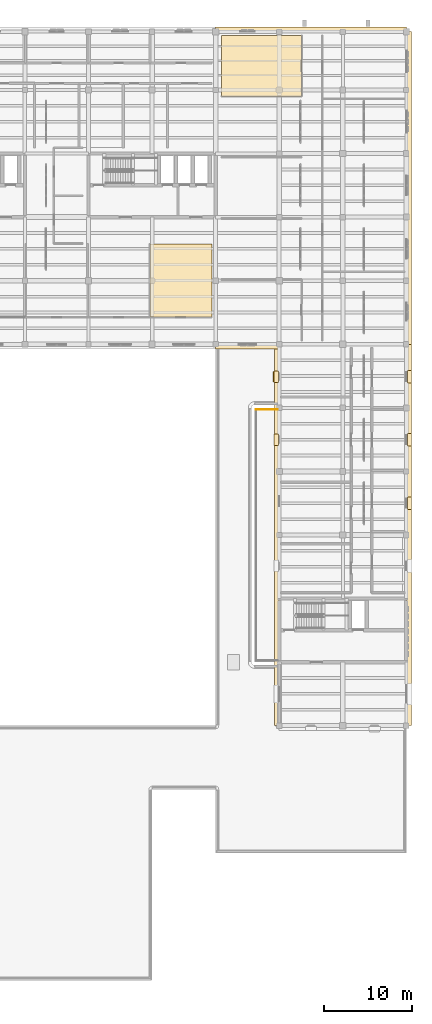
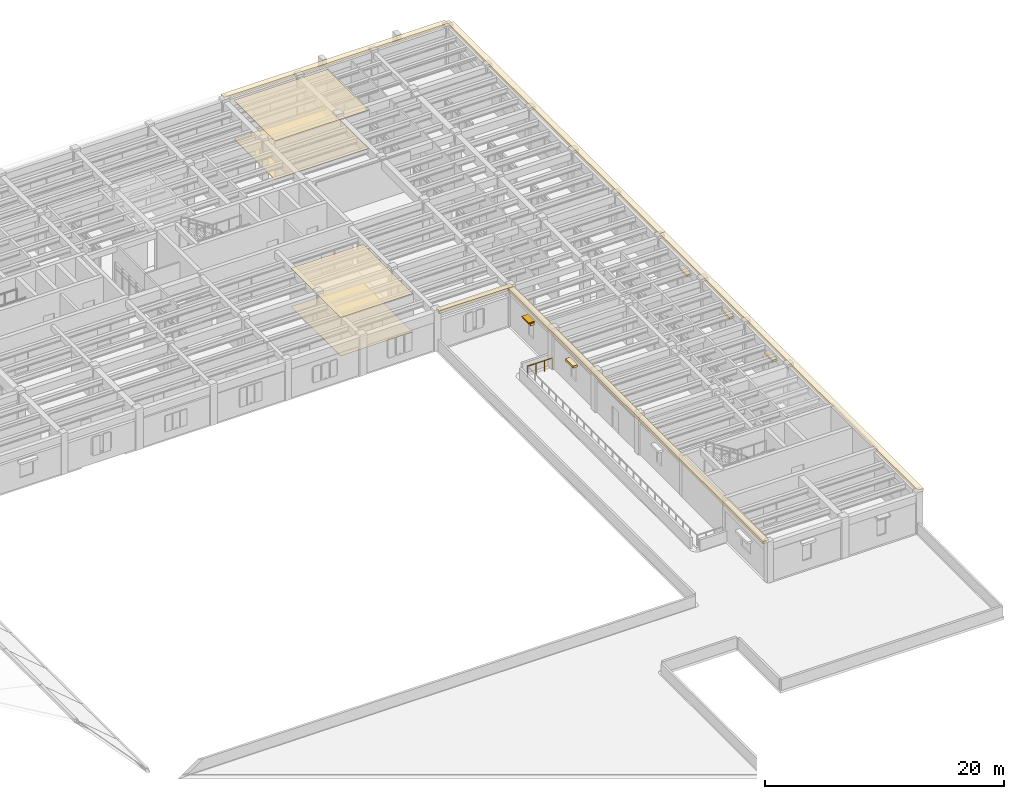
# One storey, part 40 of 40: 14 coverings, 1 railing, 1 shading device.
"""IFC4 building model written with IfcOpenShell, lengths in metres."""

from ifc_helpers import new_model, si_unit, direction, frame, origin, origin_2d, place, context, subcontext, project, spatial, polyline, rectangle, circle, outline, extrude, material, layer, layer_set, type_object, element, save


model = new_model("IFC4")

# Units and contexts
model_context = context("Model", 3, precision=1e-05, world=origin(), true_north=direction((0.0, 1.0)))
body_context = subcontext(model_context, "Body", "Model", "MODEL_VIEW")
ifc_project = project(units=[si_unit("LENGTHUNIT", "METRE"), si_unit("AREAUNIT", "SQUARE_METRE"), si_unit("VOLUMEUNIT", "CUBIC_METRE"), si_unit("PLANEANGLEUNIT", "RADIAN"), si_unit("MASSUNIT", "GRAM", prefix="KILO")], contexts=[model_context])

# Site, building, storey
site_placement = place(None, origin())
site = spatial("IfcSite", under=ifc_project, at=site_placement, CompositionType="ELEMENT")
building_placement = place(site_placement, origin())
building = spatial("IfcBuilding", under=site, at=building_placement, Name="Mithqara Police Headquarters", CompositionType="ELEMENT")
storey_placement = place(building_placement, frame((0.0, 0.0, 13.800048828125)))
storey = spatial("IfcBuildingStorey", under=building, at=storey_placement, Name="L03", CompositionType="ELEMENT", Elevation=13.800048828125)

# Coverings
ifc_material_1 = material(Name="Acoustic mineral-fibre ceiling tile", Category="gypsum")
ifc_layer_1 = layer(ifc_material_1, 0.02490234375, Name="Acoustic mineral-fibre ceiling tile")
ifc_layer_set_1 = layer_set([ifc_layer_1], Name="Acoustic mineral-fibre ceiling tile")
covering_type_1 = type_object("IfcCoveringType", Name="ACOUSTIC CEILING TILE", PredefinedType="CEILING", material=ifc_layer_set_1)
covering_1_placement = place(storey_placement, frame((0.0, 0.0, 3.9150390625)))
element("IfcCovering", 1, at=covering_1_placement, inside=storey, type_object=covering_type_1, Name="Warrants and Records Office Acoustic Ceiling", PredefinedType="CEILING", context=body_context, shape_type="SweptSolid", body=[
    extrude(outline(polyline([(137.16796875, 81.659912109375), (144.159912109375, 81.659912109375), (144.159912109375, 89.97998046875), (137.16796875, 89.97998046875), (137.16796875, 81.659912109375)])), origin(), (0.0, 0.0, 1.0), 0.02490234375),
])
covering_2_placement = place(storey_placement, frame((0.0, 0.0, 3.9150390625)))
element("IfcCovering", 2, at=covering_2_placement, inside=storey, type_object=covering_type_1, Name="Accessible WC Acoustic Ceiling", PredefinedType="CEILING", context=body_context, shape_type="SweptSolid", body=[
    extrude(outline(polyline([(145.27001953125, 106.68798828125), (154.324951171875, 106.68798828125), (154.324951171875, 113.56005859375), (145.27001953125, 113.56005859375), (145.27001953125, 106.68798828125)])), origin(), (0.0, 0.0, 1.0), 0.02490234375),
])
ifc_material_2 = material(Name="Limestone ashlar masonry, 45 MPa", Category="masonry")
ifc_layer_2 = layer(ifc_material_2, 0.320068359375, Name="Limestone ashlar masonry, 45 MPa")
ifc_layer_set_2 = layer_set([ifc_layer_2], Name="Limestone ashlar masonry, 45 MPa")
covering_type_2 = type_object("IfcCoveringType", Name="CORNICE LIMESTONE", PredefinedType="CLADDING", material=ifc_layer_set_2)
covering_3_placement = place(storey_placement, frame((148.199951171875, 78.320068359375, 3.919921875), z_axis=(0.0, 0.0, 1.0), x_axis=(1.0, 0.0, 0.0)))
element("IfcCovering", 3, at=covering_3_placement, inside=storey, type_object=covering_type_2, Name="L03 Projecting Ottoman Limestone Eaves Cornice 7", PredefinedType="CLADDING", context=body_context, shape_type="SweptSolid", body=[
    extrude(rectangle(XDim=7.199951171875, YDim=0.56005859375, at=origin_2d()), origin(), (0.0, 0.0, 1.0), 0.280029296875),
])
for number, where, z_axis, x_axis, name in (
    (4, (151.52001953125, 57.0, 3.919921875), (0.0, 0.0, 1.0), (0.0, 1.0, 0.0), "L03 Projecting Ottoman Limestone Eaves Cornice 8"),
    (5, (166.47998046875, 57.0, 3.919921875), (0.0, 0.0, 1.0), (0.0, 1.0, 0.0), "L03 Projecting Ottoman Limestone Eaves Cornice 10"),
):
    element("IfcCovering", number, at=place(storey_placement, frame(where, z_axis=z_axis, x_axis=x_axis)), inside=storey, type_object=covering_type_2, Name=name, PredefinedType="CLADDING", context=body_context, shape_type="SweptSolid", body=[
        extrude(rectangle(XDim=43.199951171875, YDim=0.56005859375, at=origin_2d()), origin(), (0.0, 0.0, 1.0), 0.280029296875),
    ])
covering_4_placement = place(storey_placement, frame((166.47998046875, 96.300048828125, 3.919921875), z_axis=(0.0, 0.0, 1.0), x_axis=(0.0, 1.0, 0.0)))
element("IfcCovering", 6, at=covering_4_placement, inside=storey, type_object=covering_type_2, Name="L03 Projecting Ottoman Limestone Eaves Cornice 11", PredefinedType="CLADDING", context=body_context, shape_type="SweptSolid", body=[
    extrude(rectangle(XDim=35.39990234375, YDim=0.56005859375, at=origin_2d()), origin(), (0.0, 0.0, 1.0), 0.280029296875),
])
covering_5_placement = place(storey_placement, frame((155.39990234375, 114.280029296875, 3.919921875), z_axis=(0.0, 0.0, 1.0), x_axis=(1.0, 0.0, 0.0)))
element("IfcCovering", 7, at=covering_5_placement, inside=storey, type_object=covering_type_2, Name="L03 Projecting Ottoman Limestone Eaves Cornice 12", PredefinedType="CLADDING", context=body_context, shape_type="SweptSolid", body=[
    extrude(rectangle(XDim=21.60009765625, YDim=0.56005859375, at=origin_2d()), origin(), (0.0, 0.0, 1.0), 0.280029296875),
])

# Railing
ifc_material_3 = material(Name="Bronze anodised aluminium 6063-T6", Category="aluminium")
railing_type = type_object("IfcRailingType", Name="GUARD BALUSTRADE1120", PredefinedType="BALUSTRADE", material=ifc_material_3)
railing_placement = place(storey_placement, frame((149.179931640625, 71.219970703125, 0.0)))
element("IfcRailing", 8, at=railing_placement, inside=storey, type_object=railing_type, Name="L03 Terrace Balustrade TER-L03-E-N", PredefinedType="BALUSTRADE", context=body_context, shape_type="SweptSolid", body=[
    extrude(circle(Radius=0.02392578125, at=origin_2d()), frame((0.0, 0.0, 1.09619140625), z_axis=(1.0, 0.0, 0.0), x_axis=(0.0, 1.0, 0.0)), (0.0, 0.0, 1.0), 2.440185546875),
    extrude(circle(Radius=0.02099609375, at=origin_2d()), origin(), (0.0, 0.0, 1.0), 1.072021484375),
    extrude(circle(Radius=0.02099609375, at=origin_2d()), frame((0.8134765625, 0.0, 0.0)), (0.0, 0.0, 1.0), 1.072021484375),
    extrude(circle(Radius=0.02099609375, at=origin_2d()), frame((1.626708984375, 0.0, 0.0)), (0.0, 0.0, 1.0), 1.072021484375),
    extrude(circle(Radius=0.02099609375, at=origin_2d()), frame((2.440185546875, 0.0, 0.0)), (0.0, 0.0, 1.0), 1.072021484375),
])

# Shading device
shading_device_type = type_object("IfcShadingDeviceType", Name="SOLAR LOUVRE BRONZE", PredefinedType="JALOUSIE", material=ifc_material_3)
shading_device_placement = place(storey_placement, frame((151.39990234375, 74.925048828125, 2.83984375), z_axis=(0.0, 0.0, 1.0), x_axis=(0.0, 1.0, 0.0)))
element("IfcShadingDevice", 9, at=shading_device_placement, inside=storey, type_object=shading_device_type, Name="L03 Window Solar Louvre Hood 8.4", PredefinedType="JALOUSIE", context=body_context, shape_type="SweptSolid", body=[
    extrude(rectangle(XDim=1.14990234375, YDim=0.60009765625, at=origin_2d()), origin(), (0.0, 0.0, 1.0), 0.10009765625),
])

# Coverings
ifc_material_4 = material(Name="Polished limestone terrazzo flooring", Category="masonry")
ifc_layer_3 = layer(ifc_material_4, 0.02001953125, Name="Polished limestone terrazzo flooring")
ifc_layer_set_3 = layer_set([ifc_layer_3], Name="Polished limestone terrazzo flooring")
covering_type_3 = type_object("IfcCoveringType", Name="TERRAZZO FLOOR FINISH", PredefinedType="FLOORING", material=ifc_layer_set_3)
covering_6_placement = place(storey_placement, origin())
element("IfcCovering", 10, at=covering_6_placement, inside=storey, type_object=covering_type_3, Name="Warrants and Records Office Terrazzo Floor Finish", PredefinedType="FLOORING", context=body_context, shape_type="SweptSolid", body=[
    extrude(outline(polyline([(137.16796875, 81.659912109375), (144.159912109375, 81.659912109375), (144.159912109375, 89.97998046875), (137.16796875, 89.97998046875), (137.16796875, 81.659912109375)])), origin(), (0.0, 0.0, 1.0), 0.02001953125),
])
covering_7_placement = place(storey_placement, origin())
element("IfcCovering", 11, at=covering_7_placement, inside=storey, type_object=covering_type_3, Name="Accessible WC Terrazzo Floor Finish", PredefinedType="FLOORING", context=body_context, shape_type="SweptSolid", body=[
    extrude(outline(polyline([(145.27001953125, 106.68798828125), (154.324951171875, 106.68798828125), (154.324951171875, 113.56005859375), (145.27001953125, 113.56005859375), (145.27001953125, 106.68798828125)])), origin(), (0.0, 0.0, 1.0), 0.02001953125),
])
ifc_layer_4 = layer(ifc_material_2, 0.239990234375, Name="Limestone ashlar masonry, 45 MPa")
ifc_layer_set_4 = layer_set([ifc_layer_4], Name="Limestone ashlar masonry, 45 MPa")
covering_type_4 = type_object("IfcCoveringType", Name="WINDOW HOOD LIMESTONE", PredefinedType="CLADDING", material=ifc_layer_set_4)
for number, where, z_axis, x_axis, name in (
    (12, (151.4599609375, 67.800048828125, 2.6201171875), (0.0, 0.0, 1.0), (0.0, 1.0, 0.0), "L03 Limestone Window Architrave Hood 8.3"),
    (13, (151.4599609375, 74.925048828125, 2.6201171875), (0.0, 0.0, 1.0), (0.0, 1.0, 0.0), "L03 Limestone Window Architrave Hood 8.4"),
):
    element("IfcCovering", number, at=place(storey_placement, frame(where, z_axis=z_axis, x_axis=x_axis)), inside=storey, type_object=covering_type_4, Name=name, PredefinedType="CLADDING", context=body_context, shape_type="SweptSolid", body=[
        extrude(rectangle(XDim=1.2900390625, YDim=0.4599609375, at=origin_2d()), origin(), (0.0, 0.0, 1.0), 0.219970703125),
    ])
for number, where, z_axis, x_axis, name in (
    (14, (166.5400390625, 60.60009765625, 2.3701171875), (0.0, 0.0, 1.0), (0.0, 1.0, 0.0), "L03 Limestone Window Architrave Hood 10.2"),
    (15, (166.5400390625, 67.800048828125, 2.3701171875), (0.0, 0.0, 1.0), (0.0, 1.0, 0.0), "L03 Limestone Window Architrave Hood 10.3"),
    (16, (166.5400390625, 74.925048828125, 2.3701171875), (0.0, 0.0, 1.0), (0.0, 1.0, 0.0), "L03 Limestone Window Architrave Hood 10.4"),
):
    element("IfcCovering", number, at=place(storey_placement, frame(where, z_axis=z_axis, x_axis=x_axis)), inside=storey, type_object=covering_type_4, Name=name, PredefinedType="CLADDING", context=body_context, shape_type="SweptSolid", body=[
        extrude(rectangle(XDim=1.43994140625, YDim=0.4599609375, at=origin_2d()), origin(), (0.0, 0.0, 1.0), 0.219970703125),
    ])

save(model, "model.ifc")
